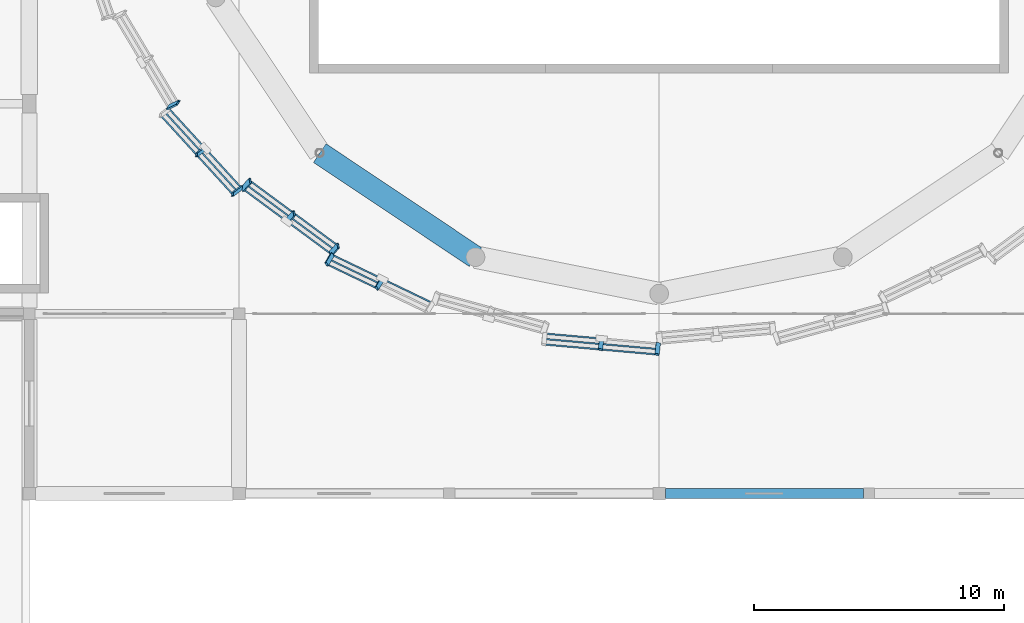
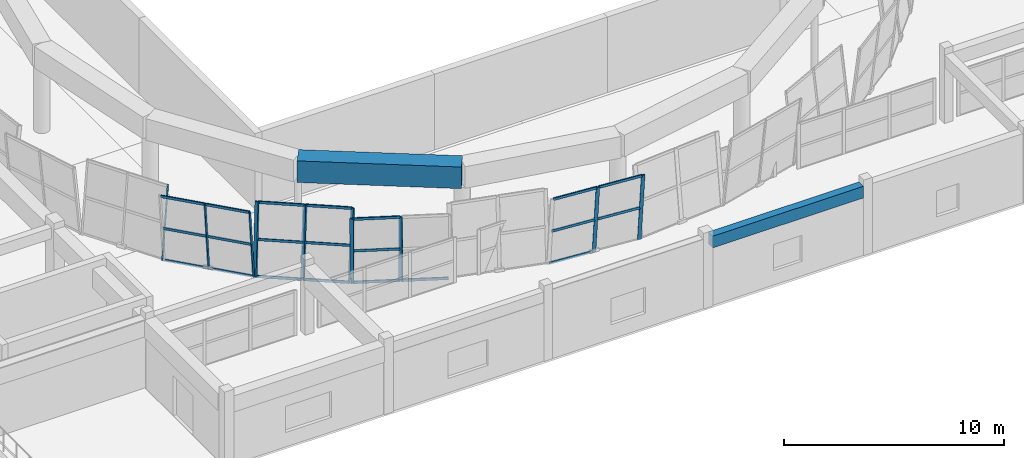
# One storey, part 11 of 40: 31 members, 2 beams, 5 elements without a shape of their own.
"""IFC4 building model written with IfcOpenShell, lengths in metres."""

from ifc_helpers import new_model, si_unit, direction, frame, origin, origin_2d, place, context, subcontext, project, spatial, rectangle, hollow_rectangle, extrude, material, material_profile, profile_set, type_object, element, aggregate, save


model = new_model("IFC4")

# Units and contexts
model_context = context("Model", 3, precision=1e-05, world=origin(), true_north=direction((0.0, 1.0)))
body_context = subcontext(model_context, "Body", "Model", "MODEL_VIEW")
ifc_project = project(units=[si_unit("LENGTHUNIT", "METRE"), si_unit("AREAUNIT", "SQUARE_METRE"), si_unit("VOLUMEUNIT", "CUBIC_METRE"), si_unit("PLANEANGLEUNIT", "RADIAN"), si_unit("MASSUNIT", "GRAM", prefix="KILO")], contexts=[model_context])

# Site, building, storey
site_placement = place(None, origin())
site = spatial("IfcSite", under=ifc_project, at=site_placement, CompositionType="ELEMENT")
building_placement = place(site_placement, origin())
building = spatial("IfcBuilding", under=site, at=building_placement, Name="Korsvaeld Concert Hall", CompositionType="ELEMENT")
storey_placement = place(building_placement, frame((0.0, 0.0, 13.199951171875)))
storey = spatial("IfcBuildingStorey", under=building, at=storey_placement, Name="L03", CompositionType="ELEMENT", Elevation=13.199951171875)

# Beams
ifc_material_1 = material(Name="Concrete C35/45", Category="concrete")
ifc_material_profile_1 = material_profile(ifc_material_1, rectangle(XDim=0.39990234375, YDim=0.64990234375, at=origin_2d()), Name="RC 400x650")
ifc_profile_set_1 = profile_set([ifc_material_profile_1], Name="Concrete C35/45")
beam_type_1 = type_object("IfcBeamType", Name="BM-RC-400x650", PredefinedType="T_BEAM", material=ifc_profile_set_1)
beam_1_placement = place(storey_placement, frame((84.25, 36.0, 3.51513671875), z_axis=(1.0, 0.0, 0.0), x_axis=(0.0, 1.0, 0.0)))
element("IfcBeam", 1, at=beam_1_placement, inside=storey, type_object=beam_type_1, Name="Primary girder 12-13/F L03", PredefinedType="T_BEAM", context=body_context, shape_type="SweptSolid", body=[
    extrude(rectangle(XDim=0.39990234375, YDim=0.64990234375, at=origin_2d()), origin(), (0.0, 0.0, 1.0), 7.925048828125),
])
ifc_material_2 = material(Name="Concrete C40/50", Category="concrete")
ifc_material_profile_2 = material_profile(ifc_material_2, rectangle(XDim=0.89990234375, YDim=1.199951171875, at=origin_2d()), Name="RC 900x1200")
ifc_profile_set_2 = profile_set([ifc_material_profile_2], Name="Concrete C40/50")
beam_type_2 = type_object("IfcBeamType", Name="BM-RING-RC900x1200", PredefinedType="USERDEFINED", material=ifc_profile_set_2)
beam_2_placement = place(storey_placement, frame((70.423583984375, 49.62353515625, 4.199951171875), z_axis=(0.831468253944, -0.555572265942, 0.0), x_axis=(0.555572265942, 0.831468253944, 0.0)))
element("IfcBeam", 2, at=beam_2_placement, inside=storey, type_object=beam_type_2, Name="Main Hall C40/50 drum ring beam segment 11", ObjectType="RING BEAM", PredefinedType="USERDEFINED", context=body_context, shape_type="SweptSolid", body=[
    extrude(rectangle(XDim=0.89990234375, YDim=1.199951171875, at=origin_2d()), origin(), (0.0, 0.0, 1.0), 7.491455078125),
])

# Curtain wall, members
ifc_material_3 = material(Name="Anodised bronze and ceramic-fritted safety glass", Category="glass")
curtain_wall_type_1 = type_object("IfcCurtainWallType", Name="CW-TYPE-04", PredefinedType="USERDEFINED", material=ifc_material_3)
curtain_wall_1_placement = place(storey_placement, origin())
curtain_wall_1 = element("IfcCurtainWall", 3, at=curtain_wall_1_placement, inside=storey, type_object=curtain_wall_type_1, Name="Crystal curtain-wall facet L03 F20", ObjectType="CURTAIN WALL", PredefinedType="USERDEFINED")
ifc_material_4 = material(Name="Anodised architectural bronze aluminium", Category="aluminium")
ifc_material_profile_3 = material_profile(ifc_material_4, hollow_rectangle(XDim=0.074951171875, YDim=0.179931640625, WallThickness=0.0048828125, at=origin_2d()), Name="CWM 180x75x5")
ifc_profile_set_3 = profile_set([ifc_material_profile_3], Name="Anodised architectural bronze aluminium")
member_type_1 = type_object("IfcMemberType", Name="CWM-BRONZE-180x75", PredefinedType="MULLION", material=ifc_profile_set_3)
member_1_placement = place(storey_placement, frame((65.8447265625, 49.815673828125, 0.0), z_axis=(-0.09108635583, -0.067205101247, 0.993572720111), x_axis=(0.977585463955, -0.19620767399, 0.076349258884)))
member_1 = element("IfcMember", 4, at=member_1_placement, type_object=member_type_1, Name="CW-CRYS-L03-F20 crystal mullion 2", PredefinedType="MULLION", context=body_context, shape_type="SweptSolid", body=[
    extrude(hollow_rectangle(XDim=0.074951171875, YDim=0.179931640625, WallThickness=0.0048828125, at=origin_2d()), origin(), (0.0, 0.0, 1.0), 3.9052734375),
])
member_2_placement = place(storey_placement, frame((67.287109375, 48.237060546875, 0.0), z_axis=(-0.091148352992, -0.067204718427, 0.993567060428), x_axis=(0.977518031702, -0.19653033326, 0.076382758571)))
member_2 = element("IfcMember", 5, at=member_2_placement, type_object=member_type_1, Name="CW-CRYS-L03-F20 crystal mullion 3", PredefinedType="MULLION", context=body_context, shape_type="SweptSolid", body=[
    extrude(hollow_rectangle(XDim=0.074951171875, YDim=0.179931640625, WallThickness=0.0048828125, at=origin_2d()), origin(), (0.0, 0.0, 1.0), 3.9052734375),
])

curtain_wall_type_2 = type_object("IfcCurtainWallType", Name="CW-TYPE-06", PredefinedType="USERDEFINED", material=ifc_material_3)
curtain_wall_2_placement = place(storey_placement, origin())
curtain_wall_2 = element("IfcCurtainWall", 6, at=curtain_wall_2_placement, inside=storey, type_object=curtain_wall_type_2, Name="Crystal curtain-wall facet L03 F22", ObjectType="CURTAIN WALL", PredefinedType="USERDEFINED")
member_3_placement = place(storey_placement, frame((70.92236328125, 45.556640625, 0.0), z_axis=(-0.057890146021, -0.097275450549, 0.993572452172), x_axis=(0.829999508119, 0.548349795161, 0.102045669527)))
member_3 = element("IfcMember", 7, at=member_3_placement, type_object=member_type_1, Name="CW-CRYS-L03-F22 crystal mullion 1", PredefinedType="MULLION", context=body_context, shape_type="SweptSolid", body=[
    extrude(hollow_rectangle(XDim=0.074951171875, YDim=0.179931640625, WallThickness=0.0048828125, at=origin_2d()), origin(), (0.0, 0.0, 1.0), 3.9052734375),
])
member_4_placement = place(storey_placement, frame((72.9287109375, 44.59326171875, 0.0), z_axis=(-0.057890146021, -0.097275450549, 0.993572452172), x_axis=(0.829999508119, 0.548349795161, 0.102045669527)))
member_4 = element("IfcMember", 8, at=member_4_placement, type_object=member_type_1, Name="CW-CRYS-L03-F22 crystal mullion 2", PredefinedType="MULLION", context=body_context, shape_type="SweptSolid", body=[
    extrude(hollow_rectangle(XDim=0.074951171875, YDim=0.179931640625, WallThickness=0.0048828125, at=origin_2d()), origin(), (0.0, 0.0, 1.0), 3.9052734375),
])

curtain_wall_type_3 = type_object("IfcCurtainWallType", Name="CW-TYPE-08", PredefinedType="USERDEFINED", material=ifc_material_3)
curtain_wall_3_placement = place(storey_placement, origin())
curtain_wall_3 = element("IfcCurtainWall", 9, at=curtain_wall_3_placement, inside=storey, type_object=curtain_wall_type_3, Name="Crystal curtain-wall facet L03 F24", ObjectType="CURTAIN WALL", PredefinedType="USERDEFINED")
member_5_placement = place(storey_placement, frame((81.697998046875, 42.20361328125, 0.0), z_axis=(-0.012378224246, -0.112529311329, 0.993571302754), x_axis=(0.195828222386, 0.974132849792, 0.11276745219)))
member_5 = element("IfcMember", 10, at=member_5_placement, type_object=member_type_1, Name="CW-CRYS-L03-F24 crystal mullion 2", PredefinedType="MULLION", context=body_context, shape_type="SweptSolid", body=[
    extrude(hollow_rectangle(XDim=0.074951171875, YDim=0.179931640625, WallThickness=0.0048828125, at=origin_2d()), origin(), (0.0, 0.0, 1.0), 3.9052734375),
])
member_6_placement = place(storey_placement, frame((83.962646484375, 42.00341796875, 0.0), z_axis=(-0.012315717468, -0.112529398189, 0.993572069679), x_axis=(0.195293528918, 0.974240961692, 0.112760747263)))
member_6 = element("IfcMember", 11, at=member_6_placement, type_object=member_type_1, Name="CW-CRYS-L03-F24 crystal mullion 3", PredefinedType="MULLION", context=body_context, shape_type="SweptSolid", body=[
    extrude(hollow_rectangle(XDim=0.074951171875, YDim=0.179931640625, WallThickness=0.0048828125, at=origin_2d()), origin(), (0.0, 0.0, 1.0), 3.9052734375),
])

# Curtain wall, member
curtain_wall_type_4 = type_object("IfcCurtainWallType", Name="CW-TYPE-03", PredefinedType="USERDEFINED", material=ifc_material_3)
curtain_wall_4_placement = place(storey_placement, origin())
curtain_wall_4 = element("IfcCurtainWall", 12, at=curtain_wall_4_placement, inside=storey, type_object=curtain_wall_type_4, Name="Crystal curtain-wall facet L03 F19", ObjectType="CURTAIN WALL", PredefinedType="USERDEFINED")
ifc_material_profile_4 = material_profile(ifc_material_4, hollow_rectangle(XDim=0.074951171875, YDim=0.219970703125, WallThickness=0.006103515625, at=origin_2d()), Name="CWM 220x75x6")
ifc_profile_set_4 = profile_set([ifc_material_profile_4], Name="Anodised architectural bronze aluminium")
member_type_2 = type_object("IfcMemberType", Name="CWM-BRONZE-220x75", PredefinedType="MULLION", material=ifc_profile_set_4)
member_7_placement = place(storey_placement, frame((64.358154296875, 51.4541015625, 0.0), z_axis=(0.102026799703, 0.049012874367, 0.993573485097), x_axis=(-0.830085935221, 0.554623592574, 0.057879277021)))
member_7 = element("IfcMember", 13, at=member_7_placement, type_object=member_type_2, Name="CW-CRYS-L03-F19 crystal mullion 3", PredefinedType="MULLION", context=body_context, shape_type="SweptSolid", body=[
    extrude(hollow_rectangle(XDim=0.074951171875, YDim=0.219970703125, WallThickness=0.006103515625, at=origin_2d()), origin(), (0.0, 0.0, 1.0), 3.9052734375),
])
aggregate(curtain_wall_4, [member_7])

# Curtain wall, members
curtain_wall_type_5 = type_object("IfcCurtainWallType", Name="CW-TYPE-05", PredefinedType="USERDEFINED", material=ifc_material_3)
curtain_wall_5_placement = place(storey_placement, origin())
curtain_wall_5 = element("IfcCurtainWall", 14, at=curtain_wall_5_placement, inside=storey, type_object=curtain_wall_type_5, Name="Crystal curtain-wall facet L03 F21", ObjectType="CURTAIN WALL", PredefinedType="USERDEFINED")
member_8_placement = place(storey_placement, frame((67.342529296875, 48.18701171875, 0.0), z_axis=(0.076332501289, 0.083584401493, 0.993572844372), x_axis=(-0.977474975154, -0.190371981092, 0.091110821329)))
member_8 = element("IfcMember", 15, at=member_8_placement, type_object=member_type_2, Name="CW-CRYS-L03-F21 crystal mullion 1", PredefinedType="MULLION", context=body_context, shape_type="SweptSolid", body=[
    extrude(hollow_rectangle(XDim=0.074951171875, YDim=0.219970703125, WallThickness=0.006103515625, at=origin_2d()), origin(), (0.0, 0.0, 1.0), 3.9052734375),
])
member_9_placement = place(storey_placement, frame((69.100341796875, 46.89111328125, 0.0), z_axis=(0.076394652963, 0.083584002465, 0.993568101104), x_axis=(-0.977549926724, -0.189970662094, 0.09114432679)))
member_9 = element("IfcMember", 16, at=member_9_placement, type_object=member_type_2, Name="CW-CRYS-L03-F21 crystal mullion 2", PredefinedType="MULLION", context=body_context, shape_type="SweptSolid", body=[
    extrude(hollow_rectangle(XDim=0.074951171875, YDim=0.219970703125, WallThickness=0.006103515625, at=origin_2d()), origin(), (0.0, 0.0, 1.0), 3.9052734375),
])
member_10_placement = place(storey_placement, frame((70.8583984375, 45.594970703125, 0.0), z_axis=(0.076332501289, 0.083584401493, 0.993572844372), x_axis=(-0.977474975154, -0.190371981092, 0.091110821329)))
member_10 = element("IfcMember", 17, at=member_10_placement, type_object=member_type_2, Name="CW-CRYS-L03-F21 crystal mullion 3", PredefinedType="MULLION", context=body_context, shape_type="SweptSolid", body=[
    extrude(hollow_rectangle(XDim=0.074951171875, YDim=0.219970703125, WallThickness=0.006103515625, at=origin_2d()), origin(), (0.0, 0.0, 1.0), 3.9052734375),
])

# Member
ifc_material_profile_5 = material_profile(ifc_material_4, hollow_rectangle(XDim=0.06005859375, YDim=0.139892578125, WallThickness=0.00390625, at=origin_2d()), Name="CWT 140x60x4")
ifc_profile_set_5 = profile_set([ifc_material_profile_5], Name="Anodised architectural bronze aluminium")
member_type_3 = type_object("IfcMemberType", Name="CWT-BRONZE-140x60", PredefinedType="USERDEFINED", material=ifc_profile_set_5)
member_11_placement = place(storey_placement, frame((64.425048828125, 51.364501953125, 0.030029296875), z_axis=(0.674496604142, -0.738277949692, 0.0), x_axis=(0.738277949692, 0.674496604142, 0.0)))
member_11 = element("IfcMember", 18, at=member_11_placement, type_object=member_type_3, Name="CW-CRYS-L03-F20 crystal transom 1.1", ObjectType="TRANSOM", PredefinedType="USERDEFINED", context=body_context, shape_type="SweptSolid", body=[
    extrude(hollow_rectangle(XDim=0.06005859375, YDim=0.139892578125, WallThickness=0.00390625, at=origin_2d()), origin(), (0.0, 0.0, 1.0), 2.063232421875),
])

member_12_placement = place(storey_placement, frame((64.25, 51.2353515625, 1.93994140625), z_axis=(0.674496604142, -0.738277949692, 0.0), x_axis=(0.738277949692, 0.674496604142, 0.0)))
member_12 = element("IfcMember", 19, at=member_12_placement, type_object=member_type_3, Name="CW-CRYS-L03-F20 crystal transom 1.2", ObjectType="TRANSOM", PredefinedType="USERDEFINED", context=body_context, shape_type="SweptSolid", body=[
    extrude(hollow_rectangle(XDim=0.06005859375, YDim=0.139892578125, WallThickness=0.00390625, at=origin_2d()), origin(), (0.0, 0.0, 1.0), 2.063232421875),
])

member_13_placement = place(storey_placement, frame((64.07470703125, 51.106201171875, 3.85009765625), z_axis=(0.674496604142, -0.738277949692, 0.0), x_axis=(0.738277949692, 0.674496604142, 0.0)))
member_13 = element("IfcMember", 20, at=member_13_placement, type_object=member_type_3, Name="CW-CRYS-L03-F20 crystal transom 1.3", ObjectType="TRANSOM", PredefinedType="USERDEFINED", context=body_context, shape_type="SweptSolid", body=[
    extrude(hollow_rectangle(XDim=0.06005859375, YDim=0.139892578125, WallThickness=0.00390625, at=origin_2d()), origin(), (0.0, 0.0, 1.0), 2.063232421875),
])

member_14_placement = place(storey_placement, frame((65.867431640625, 49.785888671875, 0.030029296875), z_axis=(0.674496604142, -0.738277949692, 0.0), x_axis=(0.738277949692, 0.674496604142, 0.0)))
member_14 = element("IfcMember", 21, at=member_14_placement, type_object=member_type_3, Name="CW-CRYS-L03-F20 crystal transom 2.1", ObjectType="TRANSOM", PredefinedType="USERDEFINED", context=body_context, shape_type="SweptSolid", body=[
    extrude(hollow_rectangle(XDim=0.06005859375, YDim=0.139892578125, WallThickness=0.00390625, at=origin_2d()), origin(), (0.0, 0.0, 1.0), 2.063232421875),
])

member_15_placement = place(storey_placement, frame((65.692138671875, 49.65673828125, 1.93994140625), z_axis=(0.674496604142, -0.738277949692, 0.0), x_axis=(0.738277949692, 0.674496604142, 0.0)))
member_15 = element("IfcMember", 22, at=member_15_placement, type_object=member_type_3, Name="CW-CRYS-L03-F20 crystal transom 2.2", ObjectType="TRANSOM", PredefinedType="USERDEFINED", context=body_context, shape_type="SweptSolid", body=[
    extrude(hollow_rectangle(XDim=0.06005859375, YDim=0.139892578125, WallThickness=0.00390625, at=origin_2d()), origin(), (0.0, 0.0, 1.0), 2.063232421875),
])

member_16_placement = place(storey_placement, frame((65.51708984375, 49.527587890625, 3.85009765625), z_axis=(0.674496604142, -0.738277949692, 0.0), x_axis=(0.738277949692, 0.674496604142, 0.0)))
member_16 = element("IfcMember", 23, at=member_16_placement, type_object=member_type_3, Name="CW-CRYS-L03-F20 crystal transom 2.3", ObjectType="TRANSOM", PredefinedType="USERDEFINED", context=body_context, shape_type="SweptSolid", body=[
    extrude(hollow_rectangle(XDim=0.06005859375, YDim=0.139892578125, WallThickness=0.00390625, at=origin_2d()), origin(), (0.0, 0.0, 1.0), 2.063232421875),
])

aggregate(curtain_wall_1, [member_1, member_2, member_11, member_12, member_13, member_14, member_15, member_16])

member_17_placement = place(storey_placement, frame((67.375, 48.167236328125, 0.030029296875), z_axis=(0.804904507896, -0.593404358906, 0.0), x_axis=(0.593404358906, 0.804904507896, 0.0)))
member_17 = element("IfcMember", 24, at=member_17_placement, type_object=member_type_3, Name="CW-CRYS-L03-F21 crystal transom 1.1", ObjectType="TRANSOM", PredefinedType="USERDEFINED", context=body_context, shape_type="SweptSolid", body=[
    extrude(hollow_rectangle(XDim=0.06005859375, YDim=0.139892578125, WallThickness=0.00390625, at=origin_2d()), origin(), (0.0, 0.0, 1.0), 2.10888671875),
])

member_18_placement = place(storey_placement, frame((67.521728515625, 48.327880859375, 1.93994140625), z_axis=(0.804904507896, -0.593404358906, 0.0), x_axis=(0.593404358906, 0.804904507896, 0.0)))
member_18 = element("IfcMember", 25, at=member_18_placement, type_object=member_type_3, Name="CW-CRYS-L03-F21 crystal transom 1.2", ObjectType="TRANSOM", PredefinedType="USERDEFINED", context=body_context, shape_type="SweptSolid", body=[
    extrude(hollow_rectangle(XDim=0.06005859375, YDim=0.139892578125, WallThickness=0.00390625, at=origin_2d()), origin(), (0.0, 0.0, 1.0), 2.10888671875),
])

member_19_placement = place(storey_placement, frame((67.66845703125, 48.48876953125, 3.85009765625), z_axis=(0.804849215574, -0.593479351107, 0.0), x_axis=(0.593479351107, 0.804849215574, 0.0)))
member_19 = element("IfcMember", 26, at=member_19_placement, type_object=member_type_3, Name="CW-CRYS-L03-F21 crystal transom 1.3", ObjectType="TRANSOM", PredefinedType="USERDEFINED", context=body_context, shape_type="SweptSolid", body=[
    extrude(hollow_rectangle(XDim=0.06005859375, YDim=0.139892578125, WallThickness=0.00390625, at=origin_2d()), origin(), (0.0, 0.0, 1.0), 2.109130859375),
])

member_20_placement = place(storey_placement, frame((69.1328125, 46.871337890625, 0.030029296875), z_axis=(0.804904507896, -0.593404358906, 0.0), x_axis=(0.593404358906, 0.804904507896, 0.0)))
member_20 = element("IfcMember", 27, at=member_20_placement, type_object=member_type_3, Name="CW-CRYS-L03-F21 crystal transom 2.1", ObjectType="TRANSOM", PredefinedType="USERDEFINED", context=body_context, shape_type="SweptSolid", body=[
    extrude(hollow_rectangle(XDim=0.06005859375, YDim=0.139892578125, WallThickness=0.00390625, at=origin_2d()), origin(), (0.0, 0.0, 1.0), 2.10888671875),
])

member_21_placement = place(storey_placement, frame((69.27978515625, 47.031982421875, 1.93994140625), z_axis=(0.804904507896, -0.593404358906, 0.0), x_axis=(0.593404358906, 0.804904507896, 0.0)))
member_21 = element("IfcMember", 28, at=member_21_placement, type_object=member_type_3, Name="CW-CRYS-L03-F21 crystal transom 2.2", ObjectType="TRANSOM", PredefinedType="USERDEFINED", context=body_context, shape_type="SweptSolid", body=[
    extrude(hollow_rectangle(XDim=0.06005859375, YDim=0.139892578125, WallThickness=0.00390625, at=origin_2d()), origin(), (0.0, 0.0, 1.0), 2.10888671875),
])

member_22_placement = place(storey_placement, frame((69.426513671875, 47.192626953125, 3.85009765625), z_axis=(0.804904507896, -0.593404358906, 0.0), x_axis=(0.593404358906, 0.804904507896, 0.0)))
member_22 = element("IfcMember", 29, at=member_22_placement, type_object=member_type_3, Name="CW-CRYS-L03-F21 crystal transom 2.3", ObjectType="TRANSOM", PredefinedType="USERDEFINED", context=body_context, shape_type="SweptSolid", body=[
    extrude(hollow_rectangle(XDim=0.06005859375, YDim=0.139892578125, WallThickness=0.00390625, at=origin_2d()), origin(), (0.0, 0.0, 1.0), 2.10888671875),
])

aggregate(curtain_wall_5, [member_8, member_9, member_10, member_17, member_18, member_19, member_20, member_21, member_22])

member_23_placement = place(storey_placement, frame((70.954345703125, 45.537353515625, 0.030029296875), z_axis=(0.901508884705, -0.432760592935, 0.0), x_axis=(0.432760592935, 0.901508884705, 0.0)))
member_23 = element("IfcMember", 30, at=member_23_placement, type_object=member_type_3, Name="CW-CRYS-L03-F22 crystal transom 1.1", ObjectType="TRANSOM", PredefinedType="USERDEFINED", context=body_context, shape_type="SweptSolid", body=[
    extrude(hollow_rectangle(XDim=0.06005859375, YDim=0.139892578125, WallThickness=0.00390625, at=origin_2d()), origin(), (0.0, 0.0, 1.0), 2.150634765625),
])

member_24_placement = place(storey_placement, frame((70.843017578125, 45.350341796875, 1.93994140625), z_axis=(0.901508884705, -0.432760592935, 0.0), x_axis=(0.432760592935, 0.901508884705, 0.0)))
member_24 = element("IfcMember", 31, at=member_24_placement, type_object=member_type_3, Name="CW-CRYS-L03-F22 crystal transom 1.2", ObjectType="TRANSOM", PredefinedType="USERDEFINED", context=body_context, shape_type="SweptSolid", body=[
    extrude(hollow_rectangle(XDim=0.06005859375, YDim=0.139892578125, WallThickness=0.00390625, at=origin_2d()), origin(), (0.0, 0.0, 1.0), 2.150634765625),
])

member_25_placement = place(storey_placement, frame((70.731689453125, 45.163330078125, 3.85009765625), z_axis=(0.901508884705, -0.432760592935, 0.0), x_axis=(0.432760592935, 0.901508884705, 0.0)))
member_25 = element("IfcMember", 32, at=member_25_placement, type_object=member_type_3, Name="CW-CRYS-L03-F22 crystal transom 1.3", ObjectType="TRANSOM", PredefinedType="USERDEFINED", context=body_context, shape_type="SweptSolid", body=[
    extrude(hollow_rectangle(XDim=0.06005859375, YDim=0.139892578125, WallThickness=0.00390625, at=origin_2d()), origin(), (0.0, 0.0, 1.0), 2.150634765625),
])

member_26_placement = place(storey_placement, frame((72.960693359375, 44.57421875, 0.030029296875), z_axis=(0.901464591462, -0.432852850679, 0.0), x_axis=(0.432852850679, 0.901464591462, 0.0)))
member_26 = element("IfcMember", 33, at=member_26_placement, type_object=member_type_3, Name="CW-CRYS-L03-F22 crystal transom 2.1", ObjectType="TRANSOM", PredefinedType="USERDEFINED", context=body_context, shape_type="SweptSolid", body=[
    extrude(hollow_rectangle(XDim=0.06005859375, YDim=0.139892578125, WallThickness=0.00390625, at=origin_2d()), origin(), (0.0, 0.0, 1.0), 2.150634765625),
])

aggregate(curtain_wall_2, [member_3, member_4, member_23, member_24, member_25, member_26])

member_27_placement = place(storey_placement, frame((79.47021484375, 42.3974609375, 0.030029296875), z_axis=(0.996105218313, -0.088172524341, 0.0), x_axis=(0.088172524341, 0.996105218313, 0.0)))
member_27 = element("IfcMember", 34, at=member_27_placement, type_object=member_type_3, Name="CW-CRYS-L03-F24 crystal transom 1.1", ObjectType="TRANSOM", PredefinedType="USERDEFINED", context=body_context, shape_type="SweptSolid", body=[
    extrude(hollow_rectangle(XDim=0.06005859375, YDim=0.139892578125, WallThickness=0.00390625, at=origin_2d()), origin(), (0.0, 0.0, 1.0), 2.198486328125),
])

member_28_placement = place(storey_placement, frame((79.446533203125, 42.18115234375, 1.93994140625), z_axis=(0.996105218313, -0.088172524341, 0.0), x_axis=(0.088172524341, 0.996105218313, 0.0)))
member_28 = element("IfcMember", 35, at=member_28_placement, type_object=member_type_3, Name="CW-CRYS-L03-F24 crystal transom 1.2", ObjectType="TRANSOM", PredefinedType="USERDEFINED", context=body_context, shape_type="SweptSolid", body=[
    extrude(hollow_rectangle(XDim=0.06005859375, YDim=0.139892578125, WallThickness=0.00390625, at=origin_2d()), origin(), (0.0, 0.0, 1.0), 2.198486328125),
])

member_29_placement = place(storey_placement, frame((79.4228515625, 41.96484375, 3.85009765625), z_axis=(0.996105218313, -0.088172524341, 0.0), x_axis=(0.088172524341, 0.996105218313, 0.0)))
member_29 = element("IfcMember", 36, at=member_29_placement, type_object=member_type_3, Name="CW-CRYS-L03-F24 crystal transom 1.3", ObjectType="TRANSOM", PredefinedType="USERDEFINED", context=body_context, shape_type="SweptSolid", body=[
    extrude(hollow_rectangle(XDim=0.06005859375, YDim=0.139892578125, WallThickness=0.00390625, at=origin_2d()), origin(), (0.0, 0.0, 1.0), 2.198486328125),
])

member_30_placement = place(storey_placement, frame((81.711181640625, 41.980712890625, 1.93994140625), z_axis=(0.996105218313, -0.088172524341, 0.0), x_axis=(0.088172524341, 0.996105218313, 0.0)))
member_30 = element("IfcMember", 37, at=member_30_placement, type_object=member_type_3, Name="CW-CRYS-L03-F24 crystal transom 2.2", ObjectType="TRANSOM", PredefinedType="USERDEFINED", context=body_context, shape_type="SweptSolid", body=[
    extrude(hollow_rectangle(XDim=0.06005859375, YDim=0.139892578125, WallThickness=0.00390625, at=origin_2d()), origin(), (0.0, 0.0, 1.0), 2.198486328125),
])

member_31_placement = place(storey_placement, frame((81.6875, 41.764404296875, 3.85009765625), z_axis=(0.996105218313, -0.088172524341, 0.0), x_axis=(0.088172524341, 0.996105218313, 0.0)))
member_31 = element("IfcMember", 38, at=member_31_placement, type_object=member_type_3, Name="CW-CRYS-L03-F24 crystal transom 2.3", ObjectType="TRANSOM", PredefinedType="USERDEFINED", context=body_context, shape_type="SweptSolid", body=[
    extrude(hollow_rectangle(XDim=0.06005859375, YDim=0.139892578125, WallThickness=0.00390625, at=origin_2d()), origin(), (0.0, 0.0, 1.0), 2.198486328125),
])

aggregate(curtain_wall_3, [member_5, member_6, member_27, member_28, member_29, member_30, member_31])

save(model, "model.ifc")
